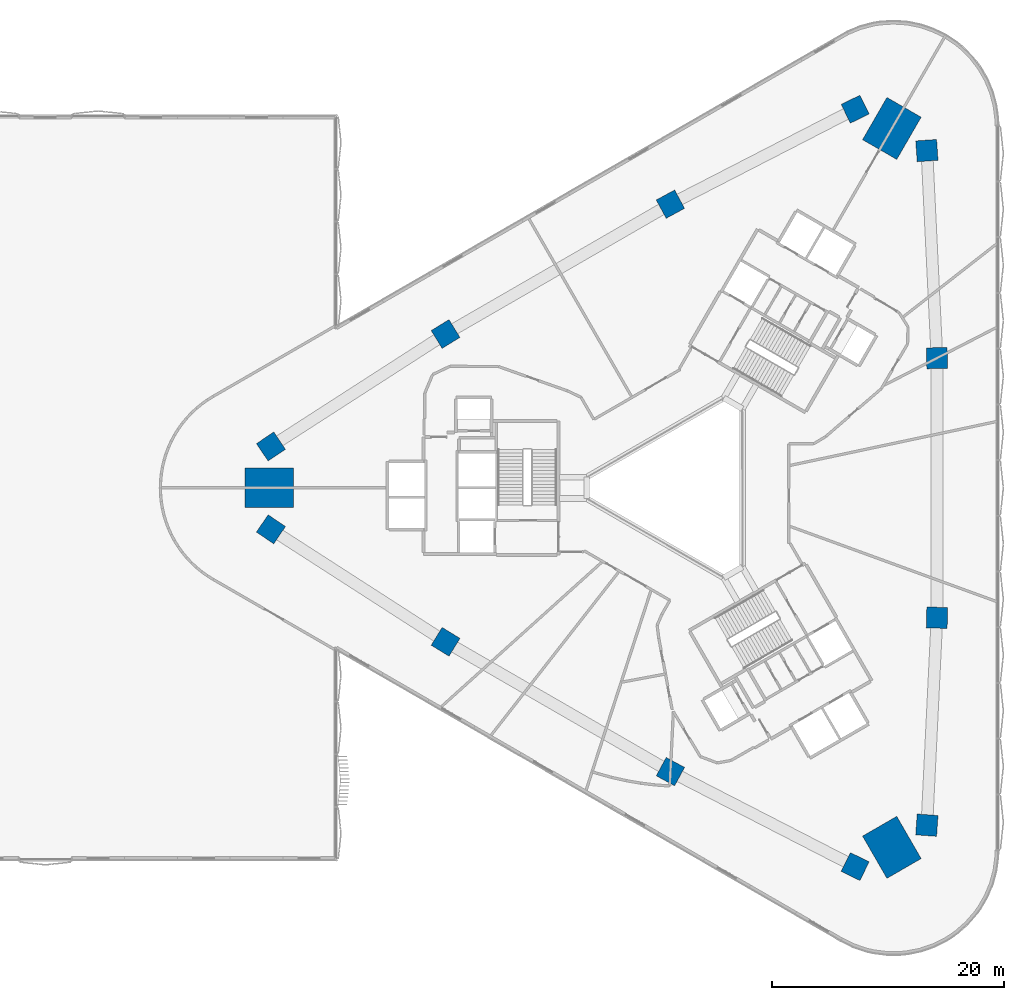
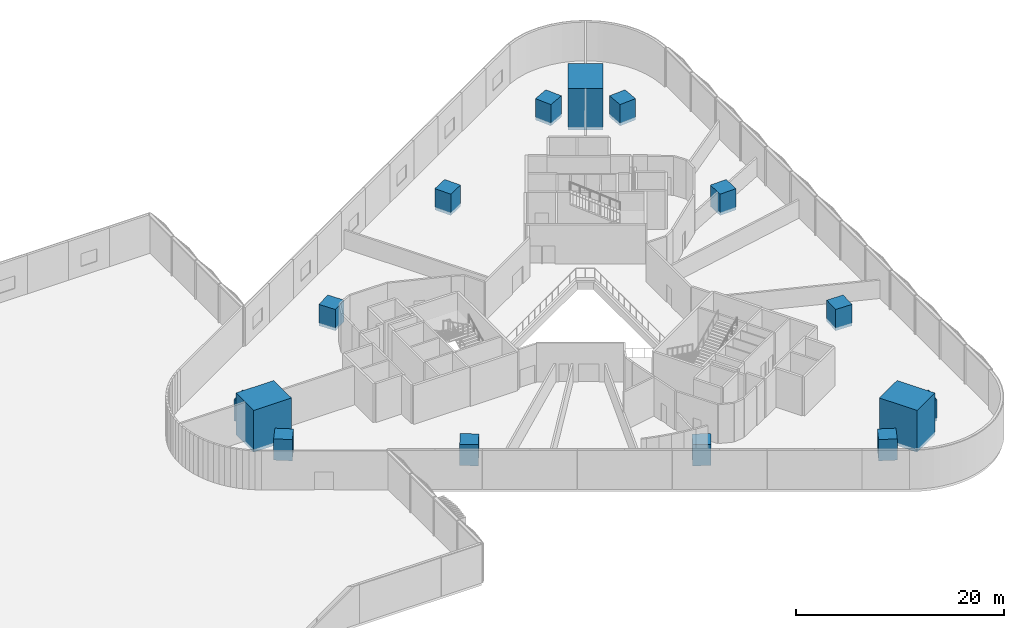
# One storey, part 1 of 24: 15 columns.
"""IFC4 building model written with IfcOpenShell, lengths in metres."""

from ifc_helpers import new_model, si_unit, direction, frame, origin, origin_2d, place, context, subcontext, project, spatial, rectangle, extrude, material, material_profile, profile_set, type_object, element, save


model = new_model("IFC4")

# Units and contexts
model_context = context("Model", 3, precision=1e-05, world=origin(), true_north=direction((0.0, 1.0)))
body_context = subcontext(model_context, "Body", "Model", "MODEL_VIEW")
ifc_project = project(units=[si_unit("LENGTHUNIT", "METRE"), si_unit("AREAUNIT", "SQUARE_METRE"), si_unit("VOLUMEUNIT", "CUBIC_METRE"), si_unit("PLANEANGLEUNIT", "RADIAN"), si_unit("MASSUNIT", "GRAM", prefix="KILO")], contexts=[model_context])

# Site, building, storey
site_placement = place(None, origin())
site = spatial("IfcSite", under=ifc_project, at=site_placement, CompositionType="ELEMENT")
building_placement = place(site_placement, origin())
building = spatial("IfcBuilding", under=site, at=building_placement, Name="Tamra Quay Hotel Tower", CompositionType="ELEMENT")
storey_placement = place(building_placement, frame((0.0, 0.0, 19.5)))
storey = spatial("IfcBuildingStorey", under=building, at=storey_placement, Name="L03", CompositionType="ELEMENT", Elevation=19.5)

# Columns
ifc_material = material(Name="Concrete M70", Category="concrete")
ifc_material_profile_1 = material_profile(ifc_material, rectangle(XDim=4.199951171875, YDim=3.39990234375, at=origin_2d()), Name="MEGA COLUMN RC 3400x4200 Z1")
ifc_profile_set_1 = profile_set([ifc_material_profile_1], Name="Concrete M70")
column_type_1 = type_object("IfcColumnType", Name="MEGA COLUMN RC 3400x4200 Z1", PredefinedType="COLUMN", material=ifc_profile_set_1)
for number, where, z_axis, x_axis, name in (
    (1, (17.864501953125, 30.942138671875, -0.35009765625), (0.0, 0.0, 1.0), (0.5, 0.866025403784, 0.0), "COL-M0NE-L03"),
    (2, (-35.72900390625, 0.0, -0.35009765625), (0.0, 0.0, 1.0), (1.0, 0.0, 0.0), "COL-M0W-L03"),
    (3, (17.864501953125, -30.942138671875, -0.35009765625), (0.0, 0.0, 1.0), (-0.5, 0.866025403784, 0.0), "COL-M0SE-L03"),
):
    element("IfcColumn", number, at=place(storey_placement, frame(where, z_axis=z_axis, x_axis=x_axis)), inside=storey, type_object=column_type_1, Name=name, PredefinedType="COLUMN", context=body_context, shape_type="SweptSolid", body=[
        extrude(rectangle(XDim=4.199951171875, YDim=3.39990234375, at=origin_2d()), origin(), (0.0, 0.0, 1.0), 4.900146484375),
    ])
ifc_material_profile_2 = material_profile(ifc_material, rectangle(XDim=1.800048828125, YDim=1.800048828125, at=origin_2d()), Name="MIDFACE COLUMN RC 1800x1800")
ifc_profile_set_2 = profile_set([ifc_material_profile_2], Name="Concrete M70")
column_type_2 = type_object("IfcColumnType", Name="MIDFACE COLUMN RC 1800x1800", PredefinedType="COLUMN", material=ifc_profile_set_2)
for number, where, z_axis, x_axis, name in (
    (4, (20.87890625, -29.033935546875, -0.35009765625), (0.0, 0.0, 1.0), (-0.997561736499, 0.069789554182, 0.0), "COL-PRE1-L03"),
    (5, (21.7490234375, -11.17431640625, -0.35009765625), (0.0, 0.0, 1.0), (-0.999628128016, 0.02726913418, 0.0), "COL-PRE2-L03"),
    (6, (21.7490234375, 11.17431640625, -0.35009765625), (0.0, 0.0, 1.0), (0.999628128016, 0.02726913418, 0.0), "COL-PRE3-L03"),
    (7, (20.87890625, 29.033935546875, -0.35009765625), (0.0, 0.0, 1.0), (0.997561736499, 0.069789554182, 0.0), "COL-PRE4-L03"),
    (8, (14.70458984375, 32.5986328125, -0.35009765625), (0.0, 0.0, 1.0), (-0.438341341409, 0.898808582743, 0.0), "COL-PRNW1-L03"),
    (9, (-1.197265625, 24.422607421875, -0.35009765625), (0.0, 0.0, 1.0), (-0.476198301069, 0.879337920289, 0.0), "COL-PRNW2-L03"),
    (10, (-20.552001953125, 13.248046875, -0.35009765625), (0.0, 0.0, 1.0), (-0.523429826947, 0.85206878611, 0.0), "COL-PRNW3-L03"),
    (11, (-35.58349609375, 3.564697265625, -0.35009765625), (0.0, 0.0, 1.0), (-0.55922039509, 0.82901902856, 0.0), "COL-PRNW4-L03"),
    (12, (-35.58349609375, -3.564697265625, -0.35009765625), (0.0, 0.0, 1.0), (0.55922039509, 0.82901902856, 0.0), "COL-PRSW1-L03"),
    (13, (-20.552001953125, -13.248046875, -0.35009765625), (0.0, 0.0, 1.0), (0.523429826947, 0.85206878611, 0.0), "COL-PRSW2-L03"),
    (14, (-1.197265625, -24.422607421875, -0.35009765625), (0.0, 0.0, 1.0), (0.476198301069, 0.879337920289, 0.0), "COL-PRSW3-L03"),
    (15, (14.70458984375, -32.5986328125, -0.35009765625), (0.0, 0.0, 1.0), (0.438341341409, 0.898808582743, 0.0), "COL-PRSW4-L03"),
):
    element("IfcColumn", number, at=place(storey_placement, frame(where, z_axis=z_axis, x_axis=x_axis)), inside=storey, type_object=column_type_2, Name=name, PredefinedType="COLUMN", context=body_context, shape_type="SweptSolid", body=[
        extrude(rectangle(XDim=1.800048828125, YDim=1.800048828125, at=origin_2d()), origin(), (0.0, 0.0, 1.0), 2.5),
    ])

save(model, "model.ifc")
